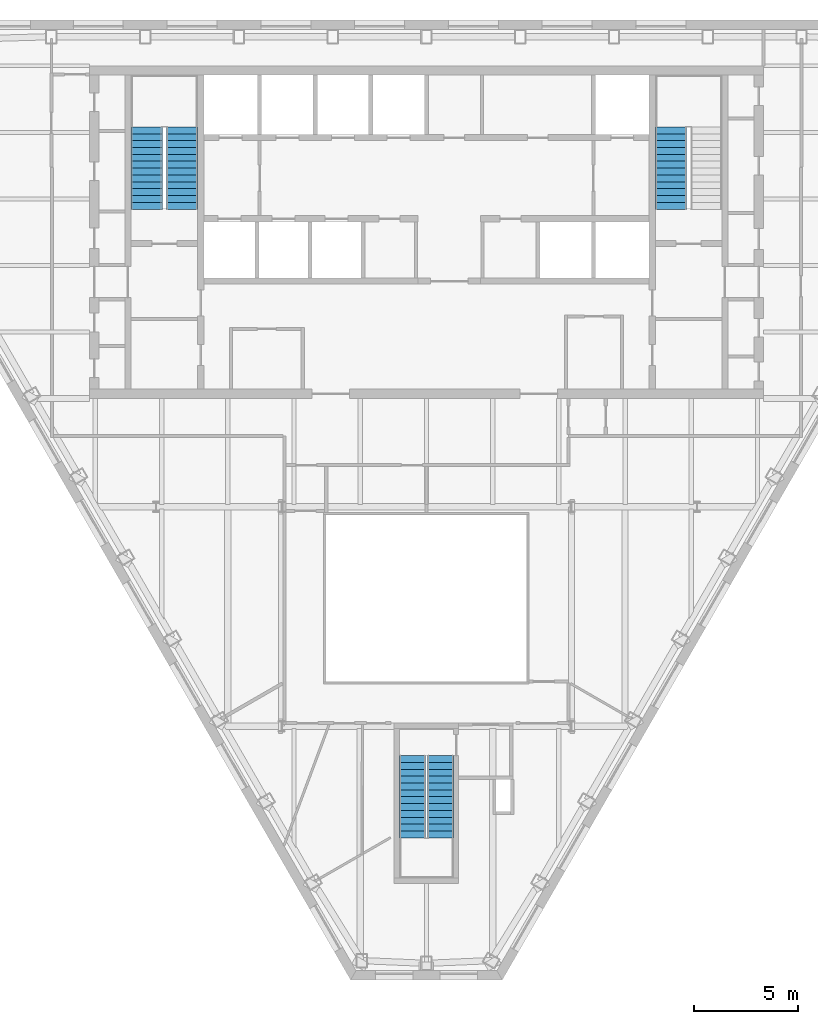
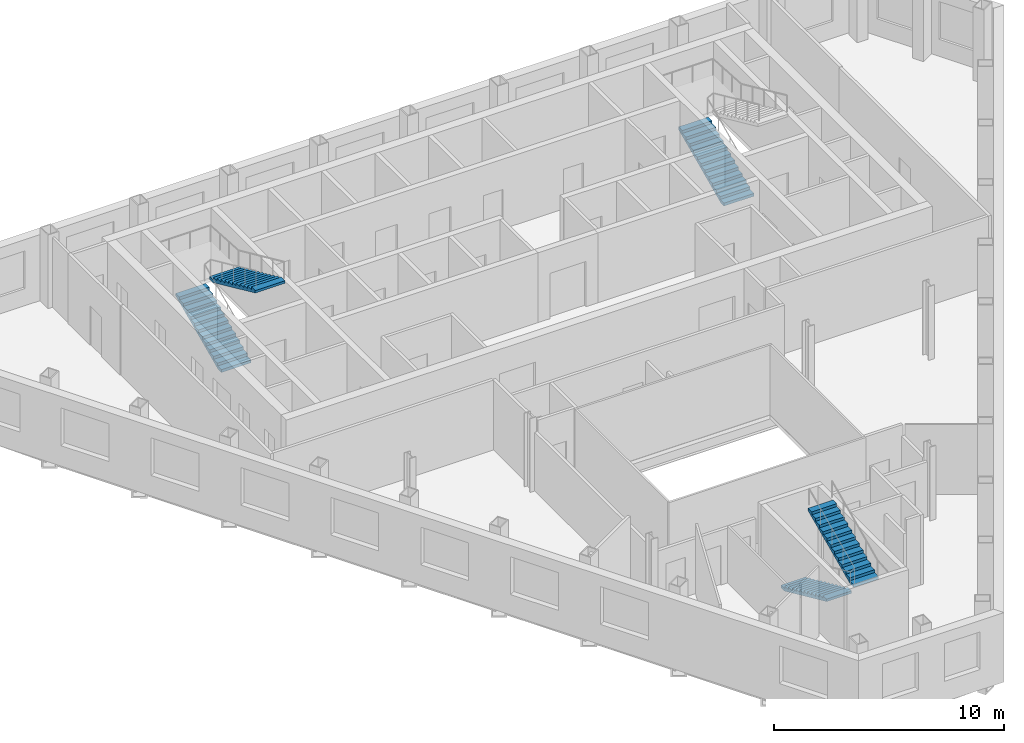
# One storey, part 9 of 11: 5 stair flights, 3 elements without a shape of their own.
"""IFC4 building model written with IfcOpenShell, lengths in metres."""

from ifc_helpers import new_model, si_unit, direction, frame, origin, place, context, subcontext, project, spatial, polygons, material, type_object, element, aggregate, save


model = new_model("IFC4")

# Units and contexts
model_context = context("Model", 3, precision=1e-05, world=origin(), true_north=direction((0.0, 1.0)))
body_context = subcontext(model_context, "Body", "Model", "MODEL_VIEW")
ifc_project = project(units=[si_unit("LENGTHUNIT", "METRE"), si_unit("AREAUNIT", "SQUARE_METRE"), si_unit("VOLUMEUNIT", "CUBIC_METRE"), si_unit("PLANEANGLEUNIT", "RADIAN"), si_unit("MASSUNIT", "GRAM", prefix="KILO")], contexts=[model_context])

# Site, building, storey
site_placement = place(None, origin())
site = spatial("IfcSite", under=ifc_project, at=site_placement, CompositionType="ELEMENT")
building_placement = place(site_placement, origin())
building = spatial("IfcBuilding", under=site, at=building_placement, Name="Njiva Tower", CompositionType="ELEMENT")
storey_placement = place(building_placement, frame((0.0, 0.0, 204.3)))
storey = spatial("IfcBuildingStorey", under=building, at=storey_placement, Name="L45", CompositionType="ELEMENT", Elevation=204.3)

# Stair, stair flights
ifc_material = material(Name="Concrete C40/50", Category="concrete")
stair_type_1 = type_object("IfcStairType", Name="ST1 Exit stair 1250", PredefinedType="HALF_TURN_STAIR", material=ifc_material)
stair_1_placement = place(storey_placement, origin())
stair_1 = element("IfcStair", 1, at=stair_1_placement, inside=storey, type_object=stair_type_1, Name="Stair C", PredefinedType="HALF_TURN_STAIR")
stair_flight_type_1 = type_object("IfcStairFlightType", Name="FL1 Stair flight 1250", PredefinedType="STRAIGHT", material=ifc_material)
stair_flight_1_placement = place(storey_placement, frame((-0.675, -15.16, 0.0), z_axis=(0.0, 0.0, 1.0), x_axis=(0.0, -1.0, 0.0)))
stair_flight_1 = element("IfcStairFlight", 2, at=stair_flight_1_placement, type_object=stair_flight_type_1, Name="ST-C flight 1", NumberOfRisers=13, NumberOfTreads=12, PredefinedType="STRAIGHT", RiserHeight=0.15, TreadLength=0.33, context=body_context, shape_type="Tessellation", body=[
    polygons([(0.0, 0.625, 0.0), (0.0, 0.3125, 0.0), (0.0, 0.0, 0.0), (0.0, -0.3125, 0.0), (0.0, -0.625, 0.0), (0.0, 0.625, 0.15), (0.0, 0.3125, 0.15), (0.0, 0.0, 0.15), (0.0, -0.3125, 0.15), (0.0, -0.625, 0.15), (0.33, 0.625, 0.15), (0.33, 0.3125, 0.15), (0.33, 0.0, 0.15), (0.33, -0.3125, 0.15), (0.33, -0.625, 0.15), (0.33, 0.625, 0.3), (0.33, 0.3125, 0.3), (0.33, 0.0, 0.3), (0.33, -0.3125, 0.3), (0.33, -0.625, 0.3), (0.66, 0.625, 0.3), (0.66, 0.3125, 0.3), (0.66, 0.0, 0.3), (0.66, -0.3125, 0.3), (0.66, -0.625, 0.3), (0.66, 0.625, 0.45), (0.66, 0.3125, 0.45), (0.66, 0.0, 0.45), (0.66, -0.3125, 0.45), (0.66, -0.625, 0.45), (0.99, 0.625, 0.45), (0.99, 0.3125, 0.45), (0.99, 0.0, 0.45), (0.99, -0.3125, 0.45), (0.99, -0.625, 0.45), (0.99, 0.625, 0.6), (0.99, 0.3125, 0.6), (0.99, 0.0, 0.6), (0.99, -0.3125, 0.6), (0.99, -0.625, 0.6), (1.32, 0.625, 0.6), (1.32, 0.3125, 0.6), (1.32, 0.0, 0.6), (1.32, -0.3125, 0.6), (1.32, -0.625, 0.6), (1.32, 0.625, 0.75), (1.32, 0.3125, 0.75), (1.32, 0.0, 0.75), (1.32, -0.3125, 0.75), (1.32, -0.625, 0.75), (1.65, 0.625, 0.75), (1.65, 0.3125, 0.75), (1.65, 0.0, 0.75), (1.65, -0.3125, 0.75), (1.65, -0.625, 0.75), (1.65, 0.625, 0.9), (1.65, 0.3125, 0.9), (1.65, 0.0, 0.9), (1.65, -0.3125, 0.9), (1.65, -0.625, 0.9), (1.98, 0.625, 0.9), (1.98, 0.3125, 0.9), (1.98, 0.0, 0.9), (1.98, -0.3125, 0.9), (1.98, -0.625, 0.9), (1.98, 0.625, 1.05), (1.98, 0.3125, 1.05), (1.98, 0.0, 1.05), (1.98, -0.3125, 1.05), (1.98, -0.625, 1.05), (2.31, 0.625, 1.05), (2.31, 0.3125, 1.05), (2.31, 0.0, 1.05), (2.31, -0.3125, 1.05), (2.31, -0.625, 1.05), (2.31, 0.625, 1.2), (2.31, 0.3125, 1.2), (2.31, 0.0, 1.2), (2.31, -0.3125, 1.2), (2.31, -0.625, 1.2), (2.64, 0.625, 1.2), (2.64, 0.3125, 1.2), (2.64, 0.0, 1.2), (2.64, -0.3125, 1.2), (2.64, -0.625, 1.2), (2.64, 0.625, 1.35), (2.64, 0.3125, 1.35), (2.64, 0.0, 1.35), (2.64, -0.3125, 1.35), (2.64, -0.625, 1.35), (2.97, 0.625, 1.35), (2.97, 0.3125, 1.35), (2.97, 0.0, 1.35), (2.97, -0.3125, 1.35), (2.97, -0.625, 1.35), (2.97, 0.625, 1.5), (2.97, 0.3125, 1.5), (2.97, 0.0, 1.5), (2.97, -0.3125, 1.5), (2.97, -0.625, 1.5), (3.3, 0.625, 1.5), (3.3, 0.3125, 1.5), (3.3, 0.0, 1.5), (3.3, -0.3125, 1.5), (3.3, -0.625, 1.5), (3.3, 0.625, 1.65), (3.3, 0.3125, 1.65), (3.3, 0.0, 1.65), (3.3, -0.3125, 1.65), (3.3, -0.625, 1.65), (3.63, 0.625, 1.65), (3.63, 0.3125, 1.65), (3.63, 0.0, 1.65), (3.63, -0.3125, 1.65), (3.63, -0.625, 1.65), (3.63, 0.625, 1.8), (3.63, 0.3125, 1.8), (3.63, 0.0, 1.8), (3.63, -0.3125, 1.8), (3.63, -0.625, 1.8), (3.96, 0.625, 1.8), (3.96, 0.3125, 1.8), (3.96, 0.0, 1.8), (3.96, -0.3125, 1.8), (3.96, -0.625, 1.8), (3.96, 0.625, 1.6682), (3.96, 0.3125, 1.6682), (3.96, 0.0, 1.6682), (3.96, -0.3125, 1.6682), (3.96, -0.625, 1.6682), (0.29, 0.625, 0.0), (0.29, 0.3125, 0.0), (0.29, 0.0, 0.0), (0.29, -0.3125, 0.0), (0.29, -0.625, 0.0)], [[[1, 6, 11, 16, 21, 26, 31, 36, 41, 46, 51, 56, 61, 66, 71, 76, 81, 86, 91, 96, 101, 106, 111, 116, 121, 126, 131]], [[135, 130, 125, 120, 115, 110, 105, 100, 95, 90, 85, 80, 75, 70, 65, 60, 55, 50, 45, 40, 35, 30, 25, 20, 15, 10, 5]], [[6, 1, 2, 7]], [[7, 2, 3, 8]], [[8, 3, 4, 9]], [[9, 4, 5, 10]], [[11, 6, 7, 12]], [[12, 7, 8, 13]], [[13, 8, 9, 14]], [[14, 9, 10, 15]], [[16, 11, 12, 17]], [[17, 12, 13, 18]], [[18, 13, 14, 19]], [[19, 14, 15, 20]], [[21, 16, 17, 22]], [[22, 17, 18, 23]], [[23, 18, 19, 24]], [[24, 19, 20, 25]], [[26, 21, 22, 27]], [[27, 22, 23, 28]], [[28, 23, 24, 29]], [[29, 24, 25, 30]], [[31, 26, 27, 32]], [[32, 27, 28, 33]], [[33, 28, 29, 34]], [[34, 29, 30, 35]], [[36, 31, 32, 37]], [[37, 32, 33, 38]], [[38, 33, 34, 39]], [[39, 34, 35, 40]], [[41, 36, 37, 42]], [[42, 37, 38, 43]], [[43, 38, 39, 44]], [[44, 39, 40, 45]], [[46, 41, 42, 47]], [[47, 42, 43, 48]], [[48, 43, 44, 49]], [[49, 44, 45, 50]], [[51, 46, 47, 52]], [[52, 47, 48, 53]], [[53, 48, 49, 54]], [[54, 49, 50, 55]], [[56, 51, 52, 57]], [[57, 52, 53, 58]], [[58, 53, 54, 59]], [[59, 54, 55, 60]], [[61, 56, 57, 62]], [[62, 57, 58, 63]], [[63, 58, 59, 64]], [[64, 59, 60, 65]], [[66, 61, 62, 67]], [[67, 62, 63, 68]], [[68, 63, 64, 69]], [[69, 64, 65, 70]], [[71, 66, 67, 72]], [[72, 67, 68, 73]], [[73, 68, 69, 74]], [[74, 69, 70, 75]], [[76, 71, 72, 77]], [[77, 72, 73, 78]], [[78, 73, 74, 79]], [[79, 74, 75, 80]], [[81, 76, 77, 82]], [[82, 77, 78, 83]], [[83, 78, 79, 84]], [[84, 79, 80, 85]], [[86, 81, 82, 87]], [[87, 82, 83, 88]], [[88, 83, 84, 89]], [[89, 84, 85, 90]], [[91, 86, 87, 92]], [[92, 87, 88, 93]], [[93, 88, 89, 94]], [[94, 89, 90, 95]], [[96, 91, 92, 97]], [[97, 92, 93, 98]], [[98, 93, 94, 99]], [[99, 94, 95, 100]], [[101, 96, 97, 102]], [[102, 97, 98, 103]], [[103, 98, 99, 104]], [[104, 99, 100, 105]], [[106, 101, 102, 107]], [[107, 102, 103, 108]], [[108, 103, 104, 109]], [[109, 104, 105, 110]], [[111, 106, 107, 112]], [[112, 107, 108, 113]], [[113, 108, 109, 114]], [[114, 109, 110, 115]], [[116, 111, 112, 117]], [[117, 112, 113, 118]], [[118, 113, 114, 119]], [[119, 114, 115, 120]], [[121, 116, 117, 122]], [[122, 117, 118, 123]], [[123, 118, 119, 124]], [[124, 119, 120, 125]], [[126, 121, 122, 127]], [[127, 122, 123, 128]], [[128, 123, 124, 129]], [[129, 124, 125, 130]], [[131, 126, 127, 132]], [[132, 127, 128, 133]], [[133, 128, 129, 134]], [[134, 129, 130, 135]], [[1, 131, 132, 2]], [[2, 132, 133, 3]], [[3, 133, 134, 4]], [[4, 134, 135, 5]]], closed=True),
])
stair_flight_2_placement = place(storey_placement, frame((0.675, -19.12, 1.95), z_axis=(0.0, 0.0, 1.0), x_axis=(0.0, 1.0, 0.0)))
stair_flight_2 = element("IfcStairFlight", 3, at=stair_flight_2_placement, type_object=stair_flight_type_1, Name="ST-C flight 2", NumberOfRisers=13, NumberOfTreads=12, PredefinedType="STRAIGHT", RiserHeight=0.15, TreadLength=0.33, context=body_context, shape_type="Tessellation", body=[
    polygons([(0.0, 0.625, 0.0), (0.0, 0.3125, 0.0), (0.0, 0.0, 0.0), (0.0, -0.3125, 0.0), (0.0, -0.625, 0.0), (0.0, 0.625, 0.15), (0.0, 0.3125, 0.15), (0.0, 0.0, 0.15), (0.0, -0.3125, 0.15), (0.0, -0.625, 0.15), (0.33, 0.625, 0.15), (0.33, 0.3125, 0.15), (0.33, 0.0, 0.15), (0.33, -0.3125, 0.15), (0.33, -0.625, 0.15), (0.33, 0.625, 0.3), (0.33, 0.3125, 0.3), (0.33, 0.0, 0.3), (0.33, -0.3125, 0.3), (0.33, -0.625, 0.3), (0.66, 0.625, 0.3), (0.66, 0.3125, 0.3), (0.66, 0.0, 0.3), (0.66, -0.3125, 0.3), (0.66, -0.625, 0.3), (0.66, 0.625, 0.45), (0.66, 0.3125, 0.45), (0.66, 0.0, 0.45), (0.66, -0.3125, 0.45), (0.66, -0.625, 0.45), (0.99, 0.625, 0.45), (0.99, 0.3125, 0.45), (0.99, 0.0, 0.45), (0.99, -0.3125, 0.45), (0.99, -0.625, 0.45), (0.99, 0.625, 0.6), (0.99, 0.3125, 0.6), (0.99, 0.0, 0.6), (0.99, -0.3125, 0.6), (0.99, -0.625, 0.6), (1.32, 0.625, 0.6), (1.32, 0.3125, 0.6), (1.32, 0.0, 0.6), (1.32, -0.3125, 0.6), (1.32, -0.625, 0.6), (1.32, 0.625, 0.75), (1.32, 0.3125, 0.75), (1.32, 0.0, 0.75), (1.32, -0.3125, 0.75), (1.32, -0.625, 0.75), (1.65, 0.625, 0.75), (1.65, 0.3125, 0.75), (1.65, 0.0, 0.75), (1.65, -0.3125, 0.75), (1.65, -0.625, 0.75), (1.65, 0.625, 0.9), (1.65, 0.3125, 0.9), (1.65, 0.0, 0.9), (1.65, -0.3125, 0.9), (1.65, -0.625, 0.9), (1.98, 0.625, 0.9), (1.98, 0.3125, 0.9), (1.98, 0.0, 0.9), (1.98, -0.3125, 0.9), (1.98, -0.625, 0.9), (1.98, 0.625, 1.05), (1.98, 0.3125, 1.05), (1.98, 0.0, 1.05), (1.98, -0.3125, 1.05), (1.98, -0.625, 1.05), (2.31, 0.625, 1.05), (2.31, 0.3125, 1.05), (2.31, 0.0, 1.05), (2.31, -0.3125, 1.05), (2.31, -0.625, 1.05), (2.31, 0.625, 1.2), (2.31, 0.3125, 1.2), (2.31, 0.0, 1.2), (2.31, -0.3125, 1.2), (2.31, -0.625, 1.2), (2.64, 0.625, 1.2), (2.64, 0.3125, 1.2), (2.64, 0.0, 1.2), (2.64, -0.3125, 1.2), (2.64, -0.625, 1.2), (2.64, 0.625, 1.35), (2.64, 0.3125, 1.35), (2.64, 0.0, 1.35), (2.64, -0.3125, 1.35), (2.64, -0.625, 1.35), (2.97, 0.625, 1.35), (2.97, 0.3125, 1.35), (2.97, 0.0, 1.35), (2.97, -0.3125, 1.35), (2.97, -0.625, 1.35), (2.97, 0.625, 1.5), (2.97, 0.3125, 1.5), (2.97, 0.0, 1.5), (2.97, -0.3125, 1.5), (2.97, -0.625, 1.5), (3.3, 0.625, 1.5), (3.3, 0.3125, 1.5), (3.3, 0.0, 1.5), (3.3, -0.3125, 1.5), (3.3, -0.625, 1.5), (3.3, 0.625, 1.65), (3.3, 0.3125, 1.65), (3.3, 0.0, 1.65), (3.3, -0.3125, 1.65), (3.3, -0.625, 1.65), (3.63, 0.625, 1.65), (3.63, 0.3125, 1.65), (3.63, 0.0, 1.65), (3.63, -0.3125, 1.65), (3.63, -0.625, 1.65), (3.63, 0.625, 1.8), (3.63, 0.3125, 1.8), (3.63, 0.0, 1.8), (3.63, -0.3125, 1.8), (3.63, -0.625, 1.8), (3.96, 0.625, 1.8), (3.96, 0.3125, 1.8), (3.96, 0.0, 1.8), (3.96, -0.3125, 1.8), (3.96, -0.625, 1.8), (3.96, 0.625, 1.6682), (3.96, 0.3125, 1.6682), (3.96, 0.0, 1.6682), (3.96, -0.3125, 1.6682), (3.96, -0.625, 1.6682), (0.29, 0.625, 0.0), (0.29, 0.3125, 0.0), (0.29, 0.0, 0.0), (0.29, -0.3125, 0.0), (0.29, -0.625, 0.0)], [[[1, 6, 11, 16, 21, 26, 31, 36, 41, 46, 51, 56, 61, 66, 71, 76, 81, 86, 91, 96, 101, 106, 111, 116, 121, 126, 131]], [[135, 130, 125, 120, 115, 110, 105, 100, 95, 90, 85, 80, 75, 70, 65, 60, 55, 50, 45, 40, 35, 30, 25, 20, 15, 10, 5]], [[6, 1, 2, 7]], [[7, 2, 3, 8]], [[8, 3, 4, 9]], [[9, 4, 5, 10]], [[11, 6, 7, 12]], [[12, 7, 8, 13]], [[13, 8, 9, 14]], [[14, 9, 10, 15]], [[16, 11, 12, 17]], [[17, 12, 13, 18]], [[18, 13, 14, 19]], [[19, 14, 15, 20]], [[21, 16, 17, 22]], [[22, 17, 18, 23]], [[23, 18, 19, 24]], [[24, 19, 20, 25]], [[26, 21, 22, 27]], [[27, 22, 23, 28]], [[28, 23, 24, 29]], [[29, 24, 25, 30]], [[31, 26, 27, 32]], [[32, 27, 28, 33]], [[33, 28, 29, 34]], [[34, 29, 30, 35]], [[36, 31, 32, 37]], [[37, 32, 33, 38]], [[38, 33, 34, 39]], [[39, 34, 35, 40]], [[41, 36, 37, 42]], [[42, 37, 38, 43]], [[43, 38, 39, 44]], [[44, 39, 40, 45]], [[46, 41, 42, 47]], [[47, 42, 43, 48]], [[48, 43, 44, 49]], [[49, 44, 45, 50]], [[51, 46, 47, 52]], [[52, 47, 48, 53]], [[53, 48, 49, 54]], [[54, 49, 50, 55]], [[56, 51, 52, 57]], [[57, 52, 53, 58]], [[58, 53, 54, 59]], [[59, 54, 55, 60]], [[61, 56, 57, 62]], [[62, 57, 58, 63]], [[63, 58, 59, 64]], [[64, 59, 60, 65]], [[66, 61, 62, 67]], [[67, 62, 63, 68]], [[68, 63, 64, 69]], [[69, 64, 65, 70]], [[71, 66, 67, 72]], [[72, 67, 68, 73]], [[73, 68, 69, 74]], [[74, 69, 70, 75]], [[76, 71, 72, 77]], [[77, 72, 73, 78]], [[78, 73, 74, 79]], [[79, 74, 75, 80]], [[81, 76, 77, 82]], [[82, 77, 78, 83]], [[83, 78, 79, 84]], [[84, 79, 80, 85]], [[86, 81, 82, 87]], [[87, 82, 83, 88]], [[88, 83, 84, 89]], [[89, 84, 85, 90]], [[91, 86, 87, 92]], [[92, 87, 88, 93]], [[93, 88, 89, 94]], [[94, 89, 90, 95]], [[96, 91, 92, 97]], [[97, 92, 93, 98]], [[98, 93, 94, 99]], [[99, 94, 95, 100]], [[101, 96, 97, 102]], [[102, 97, 98, 103]], [[103, 98, 99, 104]], [[104, 99, 100, 105]], [[106, 101, 102, 107]], [[107, 102, 103, 108]], [[108, 103, 104, 109]], [[109, 104, 105, 110]], [[111, 106, 107, 112]], [[112, 107, 108, 113]], [[113, 108, 109, 114]], [[114, 109, 110, 115]], [[116, 111, 112, 117]], [[117, 112, 113, 118]], [[118, 113, 114, 119]], [[119, 114, 115, 120]], [[121, 116, 117, 122]], [[122, 117, 118, 123]], [[123, 118, 119, 124]], [[124, 119, 120, 125]], [[126, 121, 122, 127]], [[127, 122, 123, 128]], [[128, 123, 124, 129]], [[129, 124, 125, 130]], [[131, 126, 127, 132]], [[132, 127, 128, 133]], [[133, 128, 129, 134]], [[134, 129, 130, 135]], [[1, 131, 132, 2]], [[2, 132, 133, 3]], [[3, 133, 134, 4]], [[4, 134, 135, 5]]], closed=True),
])
aggregate(stair_1, [stair_flight_1, stair_flight_2])

stair_type_2 = type_object("IfcStairType", Name="ST4 Exit stair 1500", PredefinedType="HALF_TURN_STAIR", material=ifc_material)
stair_2_placement = place(storey_placement, origin())
stair_2 = element("IfcStair", 4, at=stair_2_placement, inside=storey, type_object=stair_type_2, Name="Stair A", PredefinedType="HALF_TURN_STAIR")
stair_flight_type_2 = type_object("IfcStairFlightType", Name="FL4 Stair flight 1500", PredefinedType="STRAIGHT", material=ifc_material)
stair_flight_3_placement = place(storey_placement, frame((-13.45, 11.1, 0.0), z_axis=(0.0, 0.0, 1.0), x_axis=(0.0, 1.0, 0.0)))
stair_flight_3 = element("IfcStairFlight", 5, at=stair_flight_3_placement, type_object=stair_flight_type_2, Name="ST-A flight 1", NumberOfRisers=13, NumberOfTreads=12, PredefinedType="STRAIGHT", RiserHeight=0.15, TreadLength=0.33, context=body_context, shape_type="Tessellation", body=[
    polygons([(0.0, 0.75, 0.0), (0.0, 0.375, 0.0), (0.0, 0.0, 0.0), (0.0, -0.375, 0.0), (0.0, -0.75, 0.0), (0.0, 0.75, 0.15), (0.0, 0.375, 0.15), (0.0, 0.0, 0.15), (0.0, -0.375, 0.15), (0.0, -0.75, 0.15), (0.33, 0.75, 0.15), (0.33, 0.375, 0.15), (0.33, 0.0, 0.15), (0.33, -0.375, 0.15), (0.33, -0.75, 0.15), (0.33, 0.75, 0.3), (0.33, 0.375, 0.3), (0.33, 0.0, 0.3), (0.33, -0.375, 0.3), (0.33, -0.75, 0.3), (0.66, 0.75, 0.3), (0.66, 0.375, 0.3), (0.66, 0.0, 0.3), (0.66, -0.375, 0.3), (0.66, -0.75, 0.3), (0.66, 0.75, 0.45), (0.66, 0.375, 0.45), (0.66, 0.0, 0.45), (0.66, -0.375, 0.45), (0.66, -0.75, 0.45), (0.99, 0.75, 0.45), (0.99, 0.375, 0.45), (0.99, 0.0, 0.45), (0.99, -0.375, 0.45), (0.99, -0.75, 0.45), (0.99, 0.75, 0.6), (0.99, 0.375, 0.6), (0.99, 0.0, 0.6), (0.99, -0.375, 0.6), (0.99, -0.75, 0.6), (1.32, 0.75, 0.6), (1.32, 0.375, 0.6), (1.32, 0.0, 0.6), (1.32, -0.375, 0.6), (1.32, -0.75, 0.6), (1.32, 0.75, 0.75), (1.32, 0.375, 0.75), (1.32, 0.0, 0.75), (1.32, -0.375, 0.75), (1.32, -0.75, 0.75), (1.65, 0.75, 0.75), (1.65, 0.375, 0.75), (1.65, 0.0, 0.75), (1.65, -0.375, 0.75), (1.65, -0.75, 0.75), (1.65, 0.75, 0.9), (1.65, 0.375, 0.9), (1.65, 0.0, 0.9), (1.65, -0.375, 0.9), (1.65, -0.75, 0.9), (1.98, 0.75, 0.9), (1.98, 0.375, 0.9), (1.98, 0.0, 0.9), (1.98, -0.375, 0.9), (1.98, -0.75, 0.9), (1.98, 0.75, 1.05), (1.98, 0.375, 1.05), (1.98, 0.0, 1.05), (1.98, -0.375, 1.05), (1.98, -0.75, 1.05), (2.31, 0.75, 1.05), (2.31, 0.375, 1.05), (2.31, 0.0, 1.05), (2.31, -0.375, 1.05), (2.31, -0.75, 1.05), (2.31, 0.75, 1.2), (2.31, 0.375, 1.2), (2.31, 0.0, 1.2), (2.31, -0.375, 1.2), (2.31, -0.75, 1.2), (2.64, 0.75, 1.2), (2.64, 0.375, 1.2), (2.64, 0.0, 1.2), (2.64, -0.375, 1.2), (2.64, -0.75, 1.2), (2.64, 0.75, 1.35), (2.64, 0.375, 1.35), (2.64, 0.0, 1.35), (2.64, -0.375, 1.35), (2.64, -0.75, 1.35), (2.97, 0.75, 1.35), (2.97, 0.375, 1.35), (2.97, 0.0, 1.35), (2.97, -0.375, 1.35), (2.97, -0.75, 1.35), (2.97, 0.75, 1.5), (2.97, 0.375, 1.5), (2.97, 0.0, 1.5), (2.97, -0.375, 1.5), (2.97, -0.75, 1.5), (3.3, 0.75, 1.5), (3.3, 0.375, 1.5), (3.3, 0.0, 1.5), (3.3, -0.375, 1.5), (3.3, -0.75, 1.5), (3.3, 0.75, 1.65), (3.3, 0.375, 1.65), (3.3, 0.0, 1.65), (3.3, -0.375, 1.65), (3.3, -0.75, 1.65), (3.63, 0.75, 1.65), (3.63, 0.375, 1.65), (3.63, 0.0, 1.65), (3.63, -0.375, 1.65), (3.63, -0.75, 1.65), (3.63, 0.75, 1.8), (3.63, 0.375, 1.8), (3.63, 0.0, 1.8), (3.63, -0.375, 1.8), (3.63, -0.75, 1.8), (3.96, 0.75, 1.8), (3.96, 0.375, 1.8), (3.96, 0.0, 1.8), (3.96, -0.375, 1.8), (3.96, -0.75, 1.8), (3.96, 0.75, 1.6682), (3.96, 0.375, 1.6682), (3.96, 0.0, 1.6682), (3.96, -0.375, 1.6682), (3.96, -0.75, 1.6682), (0.29, 0.75, 0.0), (0.29, 0.375, 0.0), (0.29, 0.0, 0.0), (0.29, -0.375, 0.0), (0.29, -0.75, 0.0)], [[[1, 6, 11, 16, 21, 26, 31, 36, 41, 46, 51, 56, 61, 66, 71, 76, 81, 86, 91, 96, 101, 106, 111, 116, 121, 126, 131]], [[135, 130, 125, 120, 115, 110, 105, 100, 95, 90, 85, 80, 75, 70, 65, 60, 55, 50, 45, 40, 35, 30, 25, 20, 15, 10, 5]], [[6, 1, 2, 7]], [[7, 2, 3, 8]], [[8, 3, 4, 9]], [[9, 4, 5, 10]], [[11, 6, 7, 12]], [[12, 7, 8, 13]], [[13, 8, 9, 14]], [[14, 9, 10, 15]], [[16, 11, 12, 17]], [[17, 12, 13, 18]], [[18, 13, 14, 19]], [[19, 14, 15, 20]], [[21, 16, 17, 22]], [[22, 17, 18, 23]], [[23, 18, 19, 24]], [[24, 19, 20, 25]], [[26, 21, 22, 27]], [[27, 22, 23, 28]], [[28, 23, 24, 29]], [[29, 24, 25, 30]], [[31, 26, 27, 32]], [[32, 27, 28, 33]], [[33, 28, 29, 34]], [[34, 29, 30, 35]], [[36, 31, 32, 37]], [[37, 32, 33, 38]], [[38, 33, 34, 39]], [[39, 34, 35, 40]], [[41, 36, 37, 42]], [[42, 37, 38, 43]], [[43, 38, 39, 44]], [[44, 39, 40, 45]], [[46, 41, 42, 47]], [[47, 42, 43, 48]], [[48, 43, 44, 49]], [[49, 44, 45, 50]], [[51, 46, 47, 52]], [[52, 47, 48, 53]], [[53, 48, 49, 54]], [[54, 49, 50, 55]], [[56, 51, 52, 57]], [[57, 52, 53, 58]], [[58, 53, 54, 59]], [[59, 54, 55, 60]], [[61, 56, 57, 62]], [[62, 57, 58, 63]], [[63, 58, 59, 64]], [[64, 59, 60, 65]], [[66, 61, 62, 67]], [[67, 62, 63, 68]], [[68, 63, 64, 69]], [[69, 64, 65, 70]], [[71, 66, 67, 72]], [[72, 67, 68, 73]], [[73, 68, 69, 74]], [[74, 69, 70, 75]], [[76, 71, 72, 77]], [[77, 72, 73, 78]], [[78, 73, 74, 79]], [[79, 74, 75, 80]], [[81, 76, 77, 82]], [[82, 77, 78, 83]], [[83, 78, 79, 84]], [[84, 79, 80, 85]], [[86, 81, 82, 87]], [[87, 82, 83, 88]], [[88, 83, 84, 89]], [[89, 84, 85, 90]], [[91, 86, 87, 92]], [[92, 87, 88, 93]], [[93, 88, 89, 94]], [[94, 89, 90, 95]], [[96, 91, 92, 97]], [[97, 92, 93, 98]], [[98, 93, 94, 99]], [[99, 94, 95, 100]], [[101, 96, 97, 102]], [[102, 97, 98, 103]], [[103, 98, 99, 104]], [[104, 99, 100, 105]], [[106, 101, 102, 107]], [[107, 102, 103, 108]], [[108, 103, 104, 109]], [[109, 104, 105, 110]], [[111, 106, 107, 112]], [[112, 107, 108, 113]], [[113, 108, 109, 114]], [[114, 109, 110, 115]], [[116, 111, 112, 117]], [[117, 112, 113, 118]], [[118, 113, 114, 119]], [[119, 114, 115, 120]], [[121, 116, 117, 122]], [[122, 117, 118, 123]], [[123, 118, 119, 124]], [[124, 119, 120, 125]], [[126, 121, 122, 127]], [[127, 122, 123, 128]], [[128, 123, 124, 129]], [[129, 124, 125, 130]], [[131, 126, 127, 132]], [[132, 127, 128, 133]], [[133, 128, 129, 134]], [[134, 129, 130, 135]], [[1, 131, 132, 2]], [[2, 132, 133, 3]], [[3, 133, 134, 4]], [[4, 134, 135, 5]]], closed=True),
])
stair_flight_4_placement = place(storey_placement, frame((-11.75, 15.06, 1.95), z_axis=(0.0, 0.0, 1.0), x_axis=(0.0, -1.0, 0.0)))
stair_flight_4 = element("IfcStairFlight", 6, at=stair_flight_4_placement, type_object=stair_flight_type_2, Name="ST-A flight 2", NumberOfRisers=13, NumberOfTreads=12, PredefinedType="STRAIGHT", RiserHeight=0.15, TreadLength=0.33, context=body_context, shape_type="Tessellation", body=[
    polygons([(0.0, 0.75, 0.0), (0.0, 0.375, 0.0), (0.0, 0.0, 0.0), (0.0, -0.375, 0.0), (0.0, -0.75, 0.0), (0.0, 0.75, 0.15), (0.0, 0.375, 0.15), (0.0, 0.0, 0.15), (0.0, -0.375, 0.15), (0.0, -0.75, 0.15), (0.33, 0.75, 0.15), (0.33, 0.375, 0.15), (0.33, 0.0, 0.15), (0.33, -0.375, 0.15), (0.33, -0.75, 0.15), (0.33, 0.75, 0.3), (0.33, 0.375, 0.3), (0.33, 0.0, 0.3), (0.33, -0.375, 0.3), (0.33, -0.75, 0.3), (0.66, 0.75, 0.3), (0.66, 0.375, 0.3), (0.66, 0.0, 0.3), (0.66, -0.375, 0.3), (0.66, -0.75, 0.3), (0.66, 0.75, 0.45), (0.66, 0.375, 0.45), (0.66, 0.0, 0.45), (0.66, -0.375, 0.45), (0.66, -0.75, 0.45), (0.99, 0.75, 0.45), (0.99, 0.375, 0.45), (0.99, 0.0, 0.45), (0.99, -0.375, 0.45), (0.99, -0.75, 0.45), (0.99, 0.75, 0.6), (0.99, 0.375, 0.6), (0.99, 0.0, 0.6), (0.99, -0.375, 0.6), (0.99, -0.75, 0.6), (1.32, 0.75, 0.6), (1.32, 0.375, 0.6), (1.32, 0.0, 0.6), (1.32, -0.375, 0.6), (1.32, -0.75, 0.6), (1.32, 0.75, 0.75), (1.32, 0.375, 0.75), (1.32, 0.0, 0.75), (1.32, -0.375, 0.75), (1.32, -0.75, 0.75), (1.65, 0.75, 0.75), (1.65, 0.375, 0.75), (1.65, 0.0, 0.75), (1.65, -0.375, 0.75), (1.65, -0.75, 0.75), (1.65, 0.75, 0.9), (1.65, 0.375, 0.9), (1.65, 0.0, 0.9), (1.65, -0.375, 0.9), (1.65, -0.75, 0.9), (1.98, 0.75, 0.9), (1.98, 0.375, 0.9), (1.98, 0.0, 0.9), (1.98, -0.375, 0.9), (1.98, -0.75, 0.9), (1.98, 0.75, 1.05), (1.98, 0.375, 1.05), (1.98, 0.0, 1.05), (1.98, -0.375, 1.05), (1.98, -0.75, 1.05), (2.31, 0.75, 1.05), (2.31, 0.375, 1.05), (2.31, 0.0, 1.05), (2.31, -0.375, 1.05), (2.31, -0.75, 1.05), (2.31, 0.75, 1.2), (2.31, 0.375, 1.2), (2.31, 0.0, 1.2), (2.31, -0.375, 1.2), (2.31, -0.75, 1.2), (2.64, 0.75, 1.2), (2.64, 0.375, 1.2), (2.64, 0.0, 1.2), (2.64, -0.375, 1.2), (2.64, -0.75, 1.2), (2.64, 0.75, 1.35), (2.64, 0.375, 1.35), (2.64, 0.0, 1.35), (2.64, -0.375, 1.35), (2.64, -0.75, 1.35), (2.97, 0.75, 1.35), (2.97, 0.375, 1.35), (2.97, 0.0, 1.35), (2.97, -0.375, 1.35), (2.97, -0.75, 1.35), (2.97, 0.75, 1.5), (2.97, 0.375, 1.5), (2.97, 0.0, 1.5), (2.97, -0.375, 1.5), (2.97, -0.75, 1.5), (3.3, 0.75, 1.5), (3.3, 0.375, 1.5), (3.3, 0.0, 1.5), (3.3, -0.375, 1.5), (3.3, -0.75, 1.5), (3.3, 0.75, 1.65), (3.3, 0.375, 1.65), (3.3, 0.0, 1.65), (3.3, -0.375, 1.65), (3.3, -0.75, 1.65), (3.63, 0.75, 1.65), (3.63, 0.375, 1.65), (3.63, 0.0, 1.65), (3.63, -0.375, 1.65), (3.63, -0.75, 1.65), (3.63, 0.75, 1.8), (3.63, 0.375, 1.8), (3.63, 0.0, 1.8), (3.63, -0.375, 1.8), (3.63, -0.75, 1.8), (3.96, 0.75, 1.8), (3.96, 0.375, 1.8), (3.96, 0.0, 1.8), (3.96, -0.375, 1.8), (3.96, -0.75, 1.8), (3.96, 0.75, 1.6682), (3.96, 0.375, 1.6682), (3.96, 0.0, 1.6682), (3.96, -0.375, 1.6682), (3.96, -0.75, 1.6682), (0.29, 0.75, 0.0), (0.29, 0.375, 0.0), (0.29, 0.0, 0.0), (0.29, -0.375, 0.0), (0.29, -0.75, 0.0)], [[[1, 6, 11, 16, 21, 26, 31, 36, 41, 46, 51, 56, 61, 66, 71, 76, 81, 86, 91, 96, 101, 106, 111, 116, 121, 126, 131]], [[135, 130, 125, 120, 115, 110, 105, 100, 95, 90, 85, 80, 75, 70, 65, 60, 55, 50, 45, 40, 35, 30, 25, 20, 15, 10, 5]], [[6, 1, 2, 7]], [[7, 2, 3, 8]], [[8, 3, 4, 9]], [[9, 4, 5, 10]], [[11, 6, 7, 12]], [[12, 7, 8, 13]], [[13, 8, 9, 14]], [[14, 9, 10, 15]], [[16, 11, 12, 17]], [[17, 12, 13, 18]], [[18, 13, 14, 19]], [[19, 14, 15, 20]], [[21, 16, 17, 22]], [[22, 17, 18, 23]], [[23, 18, 19, 24]], [[24, 19, 20, 25]], [[26, 21, 22, 27]], [[27, 22, 23, 28]], [[28, 23, 24, 29]], [[29, 24, 25, 30]], [[31, 26, 27, 32]], [[32, 27, 28, 33]], [[33, 28, 29, 34]], [[34, 29, 30, 35]], [[36, 31, 32, 37]], [[37, 32, 33, 38]], [[38, 33, 34, 39]], [[39, 34, 35, 40]], [[41, 36, 37, 42]], [[42, 37, 38, 43]], [[43, 38, 39, 44]], [[44, 39, 40, 45]], [[46, 41, 42, 47]], [[47, 42, 43, 48]], [[48, 43, 44, 49]], [[49, 44, 45, 50]], [[51, 46, 47, 52]], [[52, 47, 48, 53]], [[53, 48, 49, 54]], [[54, 49, 50, 55]], [[56, 51, 52, 57]], [[57, 52, 53, 58]], [[58, 53, 54, 59]], [[59, 54, 55, 60]], [[61, 56, 57, 62]], [[62, 57, 58, 63]], [[63, 58, 59, 64]], [[64, 59, 60, 65]], [[66, 61, 62, 67]], [[67, 62, 63, 68]], [[68, 63, 64, 69]], [[69, 64, 65, 70]], [[71, 66, 67, 72]], [[72, 67, 68, 73]], [[73, 68, 69, 74]], [[74, 69, 70, 75]], [[76, 71, 72, 77]], [[77, 72, 73, 78]], [[78, 73, 74, 79]], [[79, 74, 75, 80]], [[81, 76, 77, 82]], [[82, 77, 78, 83]], [[83, 78, 79, 84]], [[84, 79, 80, 85]], [[86, 81, 82, 87]], [[87, 82, 83, 88]], [[88, 83, 84, 89]], [[89, 84, 85, 90]], [[91, 86, 87, 92]], [[92, 87, 88, 93]], [[93, 88, 89, 94]], [[94, 89, 90, 95]], [[96, 91, 92, 97]], [[97, 92, 93, 98]], [[98, 93, 94, 99]], [[99, 94, 95, 100]], [[101, 96, 97, 102]], [[102, 97, 98, 103]], [[103, 98, 99, 104]], [[104, 99, 100, 105]], [[106, 101, 102, 107]], [[107, 102, 103, 108]], [[108, 103, 104, 109]], [[109, 104, 105, 110]], [[111, 106, 107, 112]], [[112, 107, 108, 113]], [[113, 108, 109, 114]], [[114, 109, 110, 115]], [[116, 111, 112, 117]], [[117, 112, 113, 118]], [[118, 113, 114, 119]], [[119, 114, 115, 120]], [[121, 116, 117, 122]], [[122, 117, 118, 123]], [[123, 118, 119, 124]], [[124, 119, 120, 125]], [[126, 121, 122, 127]], [[127, 122, 123, 128]], [[128, 123, 124, 129]], [[129, 124, 125, 130]], [[131, 126, 127, 132]], [[132, 127, 128, 133]], [[133, 128, 129, 134]], [[134, 129, 130, 135]], [[1, 131, 132, 2]], [[2, 132, 133, 3]], [[3, 133, 134, 4]], [[4, 134, 135, 5]]], closed=True),
])
aggregate(stair_2, [stair_flight_3, stair_flight_4])

# Stair, stair flight
stair_3_placement = place(storey_placement, origin())
stair_3 = element("IfcStair", 7, at=stair_3_placement, inside=storey, type_object=stair_type_2, Name="Stair B", PredefinedType="HALF_TURN_STAIR")
stair_flight_5_placement = place(storey_placement, frame((11.75, 11.1, 0.0), z_axis=(0.0, 0.0, 1.0), x_axis=(0.0, 1.0, 0.0)))
stair_flight_5 = element("IfcStairFlight", 8, at=stair_flight_5_placement, type_object=stair_flight_type_2, Name="ST-B flight 1", NumberOfRisers=13, NumberOfTreads=12, PredefinedType="STRAIGHT", RiserHeight=0.15, TreadLength=0.33, context=body_context, shape_type="Tessellation", body=[
    polygons([(0.0, 0.75, 0.0), (0.0, 0.375, 0.0), (0.0, 0.0, 0.0), (0.0, -0.375, 0.0), (0.0, -0.75, 0.0), (0.0, 0.75, 0.15), (0.0, 0.375, 0.15), (0.0, 0.0, 0.15), (0.0, -0.375, 0.15), (0.0, -0.75, 0.15), (0.33, 0.75, 0.15), (0.33, 0.375, 0.15), (0.33, 0.0, 0.15), (0.33, -0.375, 0.15), (0.33, -0.75, 0.15), (0.33, 0.75, 0.3), (0.33, 0.375, 0.3), (0.33, 0.0, 0.3), (0.33, -0.375, 0.3), (0.33, -0.75, 0.3), (0.66, 0.75, 0.3), (0.66, 0.375, 0.3), (0.66, 0.0, 0.3), (0.66, -0.375, 0.3), (0.66, -0.75, 0.3), (0.66, 0.75, 0.45), (0.66, 0.375, 0.45), (0.66, 0.0, 0.45), (0.66, -0.375, 0.45), (0.66, -0.75, 0.45), (0.99, 0.75, 0.45), (0.99, 0.375, 0.45), (0.99, 0.0, 0.45), (0.99, -0.375, 0.45), (0.99, -0.75, 0.45), (0.99, 0.75, 0.6), (0.99, 0.375, 0.6), (0.99, 0.0, 0.6), (0.99, -0.375, 0.6), (0.99, -0.75, 0.6), (1.32, 0.75, 0.6), (1.32, 0.375, 0.6), (1.32, 0.0, 0.6), (1.32, -0.375, 0.6), (1.32, -0.75, 0.6), (1.32, 0.75, 0.75), (1.32, 0.375, 0.75), (1.32, 0.0, 0.75), (1.32, -0.375, 0.75), (1.32, -0.75, 0.75), (1.65, 0.75, 0.75), (1.65, 0.375, 0.75), (1.65, 0.0, 0.75), (1.65, -0.375, 0.75), (1.65, -0.75, 0.75), (1.65, 0.75, 0.9), (1.65, 0.375, 0.9), (1.65, 0.0, 0.9), (1.65, -0.375, 0.9), (1.65, -0.75, 0.9), (1.98, 0.75, 0.9), (1.98, 0.375, 0.9), (1.98, 0.0, 0.9), (1.98, -0.375, 0.9), (1.98, -0.75, 0.9), (1.98, 0.75, 1.05), (1.98, 0.375, 1.05), (1.98, 0.0, 1.05), (1.98, -0.375, 1.05), (1.98, -0.75, 1.05), (2.31, 0.75, 1.05), (2.31, 0.375, 1.05), (2.31, 0.0, 1.05), (2.31, -0.375, 1.05), (2.31, -0.75, 1.05), (2.31, 0.75, 1.2), (2.31, 0.375, 1.2), (2.31, 0.0, 1.2), (2.31, -0.375, 1.2), (2.31, -0.75, 1.2), (2.64, 0.75, 1.2), (2.64, 0.375, 1.2), (2.64, 0.0, 1.2), (2.64, -0.375, 1.2), (2.64, -0.75, 1.2), (2.64, 0.75, 1.35), (2.64, 0.375, 1.35), (2.64, 0.0, 1.35), (2.64, -0.375, 1.35), (2.64, -0.75, 1.35), (2.97, 0.75, 1.35), (2.97, 0.375, 1.35), (2.97, 0.0, 1.35), (2.97, -0.375, 1.35), (2.97, -0.75, 1.35), (2.97, 0.75, 1.5), (2.97, 0.375, 1.5), (2.97, 0.0, 1.5), (2.97, -0.375, 1.5), (2.97, -0.75, 1.5), (3.3, 0.75, 1.5), (3.3, 0.375, 1.5), (3.3, 0.0, 1.5), (3.3, -0.375, 1.5), (3.3, -0.75, 1.5), (3.3, 0.75, 1.65), (3.3, 0.375, 1.65), (3.3, 0.0, 1.65), (3.3, -0.375, 1.65), (3.3, -0.75, 1.65), (3.63, 0.75, 1.65), (3.63, 0.375, 1.65), (3.63, 0.0, 1.65), (3.63, -0.375, 1.65), (3.63, -0.75, 1.65), (3.63, 0.75, 1.8), (3.63, 0.375, 1.8), (3.63, 0.0, 1.8), (3.63, -0.375, 1.8), (3.63, -0.75, 1.8), (3.96, 0.75, 1.8), (3.96, 0.375, 1.8), (3.96, 0.0, 1.8), (3.96, -0.375, 1.8), (3.96, -0.75, 1.8), (3.96, 0.75, 1.6682), (3.96, 0.375, 1.6682), (3.96, 0.0, 1.6682), (3.96, -0.375, 1.6682), (3.96, -0.75, 1.6682), (0.29, 0.75, 0.0), (0.29, 0.375, 0.0), (0.29, 0.0, 0.0), (0.29, -0.375, 0.0), (0.29, -0.75, 0.0)], [[[1, 6, 11, 16, 21, 26, 31, 36, 41, 46, 51, 56, 61, 66, 71, 76, 81, 86, 91, 96, 101, 106, 111, 116, 121, 126, 131]], [[135, 130, 125, 120, 115, 110, 105, 100, 95, 90, 85, 80, 75, 70, 65, 60, 55, 50, 45, 40, 35, 30, 25, 20, 15, 10, 5]], [[6, 1, 2, 7]], [[7, 2, 3, 8]], [[8, 3, 4, 9]], [[9, 4, 5, 10]], [[11, 6, 7, 12]], [[12, 7, 8, 13]], [[13, 8, 9, 14]], [[14, 9, 10, 15]], [[16, 11, 12, 17]], [[17, 12, 13, 18]], [[18, 13, 14, 19]], [[19, 14, 15, 20]], [[21, 16, 17, 22]], [[22, 17, 18, 23]], [[23, 18, 19, 24]], [[24, 19, 20, 25]], [[26, 21, 22, 27]], [[27, 22, 23, 28]], [[28, 23, 24, 29]], [[29, 24, 25, 30]], [[31, 26, 27, 32]], [[32, 27, 28, 33]], [[33, 28, 29, 34]], [[34, 29, 30, 35]], [[36, 31, 32, 37]], [[37, 32, 33, 38]], [[38, 33, 34, 39]], [[39, 34, 35, 40]], [[41, 36, 37, 42]], [[42, 37, 38, 43]], [[43, 38, 39, 44]], [[44, 39, 40, 45]], [[46, 41, 42, 47]], [[47, 42, 43, 48]], [[48, 43, 44, 49]], [[49, 44, 45, 50]], [[51, 46, 47, 52]], [[52, 47, 48, 53]], [[53, 48, 49, 54]], [[54, 49, 50, 55]], [[56, 51, 52, 57]], [[57, 52, 53, 58]], [[58, 53, 54, 59]], [[59, 54, 55, 60]], [[61, 56, 57, 62]], [[62, 57, 58, 63]], [[63, 58, 59, 64]], [[64, 59, 60, 65]], [[66, 61, 62, 67]], [[67, 62, 63, 68]], [[68, 63, 64, 69]], [[69, 64, 65, 70]], [[71, 66, 67, 72]], [[72, 67, 68, 73]], [[73, 68, 69, 74]], [[74, 69, 70, 75]], [[76, 71, 72, 77]], [[77, 72, 73, 78]], [[78, 73, 74, 79]], [[79, 74, 75, 80]], [[81, 76, 77, 82]], [[82, 77, 78, 83]], [[83, 78, 79, 84]], [[84, 79, 80, 85]], [[86, 81, 82, 87]], [[87, 82, 83, 88]], [[88, 83, 84, 89]], [[89, 84, 85, 90]], [[91, 86, 87, 92]], [[92, 87, 88, 93]], [[93, 88, 89, 94]], [[94, 89, 90, 95]], [[96, 91, 92, 97]], [[97, 92, 93, 98]], [[98, 93, 94, 99]], [[99, 94, 95, 100]], [[101, 96, 97, 102]], [[102, 97, 98, 103]], [[103, 98, 99, 104]], [[104, 99, 100, 105]], [[106, 101, 102, 107]], [[107, 102, 103, 108]], [[108, 103, 104, 109]], [[109, 104, 105, 110]], [[111, 106, 107, 112]], [[112, 107, 108, 113]], [[113, 108, 109, 114]], [[114, 109, 110, 115]], [[116, 111, 112, 117]], [[117, 112, 113, 118]], [[118, 113, 114, 119]], [[119, 114, 115, 120]], [[121, 116, 117, 122]], [[122, 117, 118, 123]], [[123, 118, 119, 124]], [[124, 119, 120, 125]], [[126, 121, 122, 127]], [[127, 122, 123, 128]], [[128, 123, 124, 129]], [[129, 124, 125, 130]], [[131, 126, 127, 132]], [[132, 127, 128, 133]], [[133, 128, 129, 134]], [[134, 129, 130, 135]], [[1, 131, 132, 2]], [[2, 132, 133, 3]], [[3, 133, 134, 4]], [[4, 134, 135, 5]]], closed=True),
])
aggregate(stair_3, [stair_flight_5])

save(model, "model.ifc")
